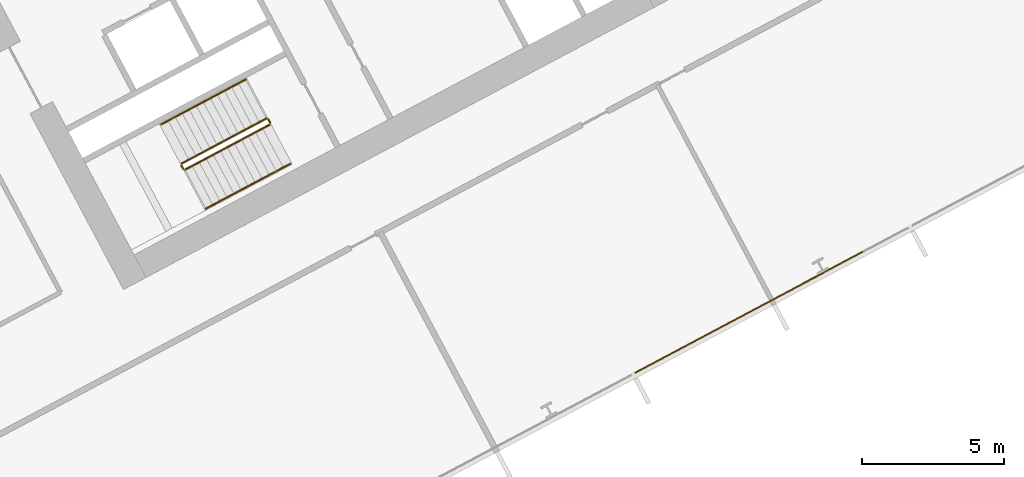
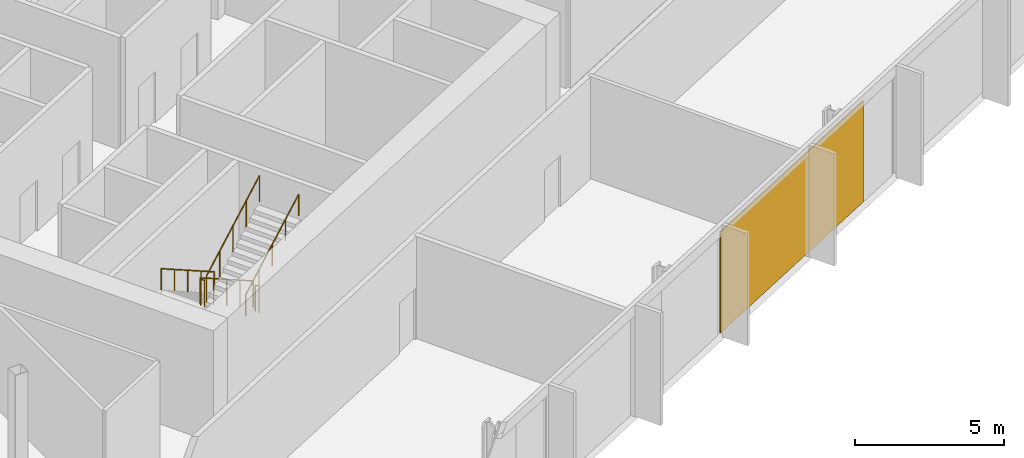
# One storey, part 26 of 30: 6 railings, 1 covering, 1 element without a shape of its own.
"""IFC4 building model written with IfcOpenShell, lengths in metres."""

import ifcopenshell
import ifcopenshell.guid

model = None  # the IFC model being written
_history = None  # IfcOwnerHistory: only IFC2X3 demands one
_inside = {}  # id of a spatial element -> (the spatial element, [elements in it])
_under = {}  # id of a project, library or spatial element -> (it, [spatial elements below it])
_declared = {}  # id of a project -> (the project, [libraries it declares])
_typed = {}  # id of a type object -> (the type object, [elements of that type])
_made_of = {}  # id of a material, layer set ... -> (it, [elements and type objects made of it])


def new_model(schema):
    """Start an empty IFC model of exactly this schema.

    Asked for "IFC4X3", IfcOpenShell would pick the latest addendum, in which some entities
    have other attributes; the version numbers below select the first issue.
    IFC2X3 requires an IfcOwnerHistory on every rooted entity: one is made here for all.
    """
    global model, _history
    if schema == "IFC4X3":
        model = ifcopenshell.file(schema_version=(4, 3, 0, 0))
    else:
        model = ifcopenshell.file(schema=schema)
    _inside.clear()
    _under.clear()
    _declared.clear()
    _typed.clear()
    _made_of.clear()
    _history = None
    if model.schema == "IFC2X3":
        org = make("IfcOrganization", Name="unknown")
        user = make(
            "IfcPersonAndOrganization",
            ThePerson=make("IfcPerson", FamilyName="unknown"),
            TheOrganization=org,
        )
        app = make(
            "IfcApplication",
            ApplicationDeveloper=org,
            Version="unknown",
            ApplicationFullName="unknown",
            ApplicationIdentifier="unknown",
        )
        _history = make(
            "IfcOwnerHistory",
            OwningUser=user,
            OwningApplication=app,
            ChangeAction="ADDED",
            CreationDate=0,
        )
    return model


def make(cls, **values):
    """One entity of the class cls with the attributes given. An attribute that is None is left unset."""
    return model.create_entity(
        cls, **{name: value for name, value in values.items() if value is not None}
    )


def rooted(cls, **values):
    """An entity with a GlobalId (a new one), such as an element, a storey or a relation."""
    return make(cls, GlobalId=ifcopenshell.guid.new(), OwnerHistory=_history, **values)


def si_unit(unit_type, name, prefix=None):
    """IfcSIUnit, for example si_unit("LENGTHUNIT", "METRE", prefix="MILLI")."""
    return make("IfcSIUnit", UnitType=unit_type, Prefix=prefix, Name=name)


def assignment(units):
    """IfcUnitAssignment: the units of a project."""
    return None if units is None else make("IfcUnitAssignment", Units=units)


def point(xyz):
    """IfcCartesianPoint."""
    return None if xyz is None else make("IfcCartesianPoint", Coordinates=xyz)


def direction(xyz):
    """IfcDirection."""
    return None if xyz is None else make("IfcDirection", DirectionRatios=xyz)


def frame(location, z_axis=None, x_axis=None):
    """IfcAxis2Placement3D, a coordinate frame: its origin and axes. An axis left out is left unset."""
    return make(
        "IfcAxis2Placement3D",
        Location=point(location),
        Axis=direction(z_axis),
        RefDirection=direction(x_axis),
    )


def frame_2d(location, x_axis=None):
    """IfcAxis2Placement2D, a coordinate frame in the plane: its origin and x axis."""
    return make(
        "IfcAxis2Placement2D", Location=point(location), RefDirection=direction(x_axis)
    )


def origin():
    """The frame at (0, 0, 0) with its axes left unset."""
    return frame((0.0, 0.0, 0.0))


def origin_2d():
    """The frame at (0, 0) in the plane with its x axis left unset."""
    return frame_2d((0.0, 0.0))


def place(relative_to, where):
    """IfcLocalPlacement: puts the frame where relative to a parent placement (None: the world)."""
    return make(
        "IfcLocalPlacement", PlacementRelTo=relative_to, RelativePlacement=where
    )


def context(
    kind, dimensions, precision=None, world=None, true_north=None, identifier=None
):
    """IfcGeometricRepresentationContext, for example the 3D "Model" context."""
    return make(
        "IfcGeometricRepresentationContext",
        ContextIdentifier=identifier,
        ContextType=kind,
        CoordinateSpaceDimension=dimensions,
        Precision=precision,
        WorldCoordinateSystem=world,
        TrueNorth=true_north,
    )


def subcontext(parent, identifier, kind, view, scale=None):
    """IfcGeometricRepresentationSubContext, for example "Body" below "Model"."""
    return make(
        "IfcGeometricRepresentationSubContext",
        ContextIdentifier=identifier,
        ContextType=kind,
        ParentContext=parent,
        TargetScale=scale,
        TargetView=view,
    )


def project(units=None, contexts=None):
    """IfcProject with its units and contexts."""
    return rooted(
        "IfcProject",
        Name="project",
        RepresentationContexts=contexts,
        UnitsInContext=assignment(units),
    )


def spatial(cls, under=None, at=None, **own):
    """A site, building, storey or space (cls), placed at a placement, below another one or the project."""
    s = rooted(cls, ObjectPlacement=at, **own)
    if under is not None:
        _under.setdefault(under.id(), (under, []))[1].append(s)
    return s


def polyline(points):
    """IfcPolyline through the points."""
    return make("IfcPolyline", Points=[point(p) for p in points])


def profile(cls, at=None, kind="AREA", **sizes):
    """A parametric profile (cls). Its sizes go by their IFC names, for example OverallWidth=200.0."""
    return make(cls, ProfileType=kind, Position=at, **sizes)


def rectangle(**sizes):
    """IfcRectangleProfileDef."""
    return profile("IfcRectangleProfileDef", **sizes)


def outline(outer, holes=None, kind="AREA"):
    """IfcArbitraryClosedProfileDef: a profile drawn as a closed curve; with holes, ...WithVoids."""
    if holes is None:
        return make("IfcArbitraryClosedProfileDef", ProfileType=kind, OuterCurve=outer)
    return make(
        "IfcArbitraryProfileDefWithVoids",
        ProfileType=kind,
        OuterCurve=outer,
        InnerCurves=holes,
    )


def extrude(swept, where, along, depth):
    """IfcExtrudedAreaSolid: the profile swept, set in the frame where, extruded along a direction by depth."""
    return make(
        "IfcExtrudedAreaSolid",
        SweptArea=swept,
        Position=where,
        ExtrudedDirection=direction(along),
        Depth=depth,
    )


def shape(context_of_items, identifier, shape_type, items):
    """IfcShapeRepresentation: the items that make up one representation, for example the "Body"."""
    return make(
        "IfcShapeRepresentation",
        ContextOfItems=context_of_items,
        RepresentationIdentifier=identifier,
        RepresentationType=shape_type,
        Items=items,
    )


def material(Name=None, Category=None):
    """IfcMaterial."""
    return make("IfcMaterial", Name=Name, Category=Category)


def layer(
    of_material, thickness, ventilated=None, Name=None, Category=None, Priority=None
):
    """IfcMaterialLayer: one layer of a wall or slab, of a material (None: an air gap)."""
    return make(
        "IfcMaterialLayer",
        Material=of_material,
        LayerThickness=thickness,
        IsVentilated=ventilated,
        Name=Name,
        Category=Category,
        Priority=Priority,
    )


def layer_set(layers, Name=None):
    """IfcMaterialLayerSet."""
    return make("IfcMaterialLayerSet", MaterialLayers=layers, LayerSetName=Name)


def made_of(thing, what):
    """Note that an element or type object is made of a material, layer set ...; save() writes the relation."""
    if what is not None:
        _made_of.setdefault(what.id(), (what, []))[1].append(thing)
    return thing


def type_object(cls, material=None, **own):
    """A type object (cls), such as IfcWallType, which elements share."""
    return made_of(rooted(cls, **own), material)


def element(
    cls,
    number,
    at=None,
    inside=None,
    cuts=None,
    type_object=None,
    material=None,
    context=None,
    identifier="Body",
    shape_type=None,
    held_by="IfcProductDefinitionShape",
    body=None,
    shapes=None,
    **own,
):
    """One element of the class cls, such as IfcWall. Its Tag is "e" and its number.

    at: its placement. inside: the storey or other place that contains it. cuts: it is an
    opening in that element (IfcRelVoidsElement). A single representation is given by context,
    identifier, shape_type and body (its items); several are given by shapes. held_by: the class
    of the entity that holds the representations. save() writes the other relations.
    """
    e = rooted(cls, Tag="e%d" % number, ObjectPlacement=at, **own)
    if body is not None:
        shapes = [shape(context, identifier, shape_type, body)]
    if shapes is not None:
        e.Representation = make(held_by, Representations=shapes)
    if inside is not None:
        _inside.setdefault(inside.id(), (inside, []))[1].append(e)
    if cuts is not None:
        rooted(
            "IfcRelVoidsElement", RelatingBuildingElement=cuts, RelatedOpeningElement=e
        )
    if type_object is not None:
        _typed.setdefault(type_object.id(), (type_object, []))[1].append(e)
    return made_of(e, material)


def aggregate(whole, parts):
    """IfcRelAggregates: a whole, such as a stair, and the parts it consists of."""
    return rooted("IfcRelAggregates", RelatingObject=whole, RelatedObjects=parts)


def save(model, path):
    """Write the relations noted so far, then the file.

    IfcRelAggregates (storeys below a building ...), IfcRelContainedInSpatialStructure (elements
    in a storey), IfcRelDefinesByType, IfcRelAssociatesMaterial and IfcRelDeclares: one each for
    every whole, place, type object, material and project.
    """
    for whole, parts in _under.values():
        aggregate(whole, parts)
    for where, things in _inside.values():
        rooted(
            "IfcRelContainedInSpatialStructure",
            RelatedElements=things,
            RelatingStructure=where,
        )
    for kind, things in _typed.values():
        rooted("IfcRelDefinesByType", RelatedObjects=things, RelatingType=kind)
    for what, things in _made_of.values():
        rooted("IfcRelAssociatesMaterial", RelatedObjects=things, RelatingMaterial=what)
    for by, libraries in _declared.values():
        rooted("IfcRelDeclares", RelatingContext=by, RelatedDefinitions=libraries)
    model.write(path)


model = new_model("IFC4")

# Units and contexts
model_context = context("Model", 3, precision=1e-05, world=origin(), true_north=direction((0.0, 1.0)))
body_context = subcontext(model_context, "Body", "Model", "MODEL_VIEW")
ifc_project = project(units=[si_unit("LENGTHUNIT", "METRE"), si_unit("AREAUNIT", "SQUARE_METRE"), si_unit("VOLUMEUNIT", "CUBIC_METRE"), si_unit("PLANEANGLEUNIT", "RADIAN"), si_unit("MASSUNIT", "GRAM", prefix="KILO")], contexts=[model_context])

# Site, building, storey
site_placement = place(None, origin())
site = spatial("IfcSite", under=ifc_project, at=site_placement, CompositionType="ELEMENT")
building_placement = place(site_placement, origin())
building = spatial("IfcBuilding", under=site, at=building_placement, Name="Cormorant Relay Tower", CompositionType="ELEMENT")
storey_placement = place(building_placement, frame((0.0, 0.0, 80.0)))
storey = spatial("IfcBuildingStorey", under=building, at=storey_placement, Name="L15", CompositionType="ELEMENT", Elevation=80.0)

# Curtain wall, covering
ifc_material_1 = material(Name="Aluminium 6063-T6 anodised bronze", Category="aluminium")
ifc_layer_1 = layer(ifc_material_1, 0.199951171875)
ifc_layer_set_1 = layer_set([ifc_layer_1], Name="CW1 unitised bronze curtain wall with vertical fins")
curtain_wall_type = type_object("IfcCurtainWallType", Name="CW1 unitised bronze curtain wall with vertical fins", PredefinedType="NOTDEFINED", material=ifc_layer_set_1)
curtain_wall_placement = place(storey_placement, origin())
curtain_wall = element("IfcCurtainWall", 1, at=curtain_wall_placement, inside=storey, type_object=curtain_wall_type, Name="CW1 curtain wall 2", PredefinedType="NOTDEFINED")
ifc_material_2 = material(Name="Pale bronze anodised aluminium insulated panel", Category="aluminium")
ifc_layer_2 = layer(ifc_material_2, 0.0400390625)
ifc_layer_set_2 = layer_set([ifc_layer_2], Name="CW1 pale bronze insulated panel 40")
covering_type = type_object("IfcCoveringType", Name="CW1 pale bronze insulated panel 40", PredefinedType="CLADDING", material=ifc_layer_set_2)
covering_placement = place(storey_placement, frame((40.797119140625, -2.114501953125, 0.0), z_axis=(0.0, 0.0, 1.0), x_axis=(0.882947592859, 0.469471562786, 0.0)))
covering = element("IfcCovering", 2, at=covering_placement, type_object=covering_type, Name="CW1 panel S07", PredefinedType="CLADDING", context=body_context, shape_type="SweptSolid", body=[
    extrude(rectangle(XDim=9.07373046875, YDim=0.0400390625, at=origin_2d()), origin(), (0.0, 0.0, 1.0), 4.14990234375),
])
aggregate(curtain_wall, [covering])

# Railings
ifc_material_3 = material(Name="Steel ASTM A572 Grade 50 (Fy 345 MPa)", Category="steel")
railing_type_1 = type_object("IfcRailingType", Name="Stair guard 1100", PredefinedType="GUARDRAIL", material=ifc_material_3)
railing_1_placement = place(storey_placement, frame((23.83837890625, 4.6904296875, 0.177001953125)))
element("IfcRailing", 3, at=railing_1_placement, inside=storey, type_object=railing_type_1, Name="L15 B1 stair guard 1", PredefinedType="GUARDRAIL", context=body_context, shape_type="SweptSolid", body=[
    extrude(outline(polyline([(0.022216796875, 0.00927734375), (0.00927734375, 0.022216796875), (-0.00927734375, 0.022216796875), (-0.022216796875, 0.00927734375), (-0.022216796875, -0.00927734375), (-0.00927734375, -0.022216796875), (0.00927734375, -0.022216796875), (0.022216796875, -0.00927734375), (0.022216796875, 0.00927734375)])), frame((0.0, 0.0, 1.076171875), z_axis=(-0.746440668329, -0.396869088057, 0.534154711306), x_axis=(0.46945269911, -0.882957622595, 0.0)), (0.0, 0.0, 1.0), 3.974609375),
    extrude(outline(polyline([(0.019287109375, 0.008056640625), (0.008056640625, 0.019287109375), (-0.008056640625, 0.019287109375), (-0.019287109375, 0.008056640625), (-0.019287109375, -0.008056640625), (-0.008056640625, -0.019287109375), (0.008056640625, -0.019287109375), (0.019287109375, -0.008056640625), (0.019287109375, 0.008056640625)])), origin(), (0.0, 0.0, 1.0), 1.052001953125),
    extrude(outline(polyline([(0.019287109375, 0.008056640625), (0.008056640625, 0.019287109375), (-0.008056640625, 0.019287109375), (-0.019287109375, 0.008056640625), (-0.019287109375, -0.008056640625), (-0.008056640625, -0.019287109375), (0.008056640625, -0.019287109375), (0.019287109375, -0.008056640625), (0.019287109375, 0.008056640625)])), frame((-0.74169921875, -0.394287109375, 0.53076171875)), (0.0, 0.0, 1.0), 1.052001953125),
    extrude(outline(polyline([(0.019287109375, 0.008056640625), (0.008056640625, 0.019287109375), (-0.008056640625, 0.019287109375), (-0.019287109375, 0.008056640625), (-0.019287109375, -0.008056640625), (-0.008056640625, -0.019287109375), (0.008056640625, -0.019287109375), (0.019287109375, -0.008056640625), (0.019287109375, 0.008056640625)])), frame((-1.4833984375, -0.78857421875, 1.0615234375)), (0.0, 0.0, 1.0), 1.052001953125),
    extrude(outline(polyline([(0.019287109375, 0.008056640625), (0.008056640625, 0.019287109375), (-0.008056640625, 0.019287109375), (-0.019287109375, 0.008056640625), (-0.019287109375, -0.008056640625), (-0.008056640625, -0.019287109375), (0.008056640625, -0.019287109375), (0.019287109375, -0.008056640625), (0.019287109375, 0.008056640625)])), frame((-2.22509765625, -1.18310546875, 1.59228515625)), (0.0, 0.0, 1.0), 1.052001953125),
    extrude(outline(polyline([(0.019287109375, 0.008056640625), (0.008056640625, 0.019287109375), (-0.008056640625, 0.019287109375), (-0.019287109375, 0.008056640625), (-0.019287109375, -0.008056640625), (-0.008056640625, -0.019287109375), (0.008056640625, -0.019287109375), (0.019287109375, -0.008056640625), (0.019287109375, 0.008056640625)])), frame((-2.966796875, -1.577392578125, 2.123046875)), (0.0, 0.0, 1.0), 1.052001953125),
])
railing_2_placement = place(storey_placement, frame((20.850830078125, 3.04541015625, 2.300048828125)))
element("IfcRailing", 4, at=railing_2_placement, inside=storey, type_object=railing_type_1, Name="L15 B1 stair guard 2", PredefinedType="GUARDRAIL", context=body_context, shape_type="SweptSolid", body=[
    extrude(outline(polyline([(0.022216796875, 0.00927734375), (0.00927734375, 0.022216796875), (-0.00927734375, 0.022216796875), (-0.022216796875, 0.00927734375), (-0.022216796875, -0.00927734375), (-0.00927734375, -0.022216796875), (0.00927734375, -0.022216796875), (0.022216796875, -0.00927734375), (0.022216796875, 0.00927734375)])), frame((0.0, 0.0, 1.076171875), z_axis=(0.469828648786, -0.882757634224, 0.0), x_axis=(0.882757634224, 0.469828648786, 0.0)), (0.0, 0.0, 1.0), 0.150146484375),
    extrude(outline(polyline([(0.019287109375, 0.008056640625), (0.008056640625, 0.019287109375), (-0.008056640625, 0.019287109375), (-0.019287109375, 0.008056640625), (-0.019287109375, -0.008056640625), (-0.008056640625, -0.019287109375), (0.008056640625, -0.019287109375), (0.019287109375, -0.008056640625), (0.019287109375, 0.008056640625)])), origin(), (0.0, 0.0, 1.0), 1.052001953125),
    extrude(outline(polyline([(0.019287109375, 0.008056640625), (0.008056640625, 0.019287109375), (-0.008056640625, 0.019287109375), (-0.019287109375, 0.008056640625), (-0.019287109375, -0.008056640625), (-0.008056640625, -0.019287109375), (0.008056640625, -0.019287109375), (0.019287109375, -0.008056640625), (0.019287109375, 0.008056640625)])), frame((0.070556640625, -0.132568359375, 0.0)), (0.0, 0.0, 1.0), 1.052001953125),
])
railing_3_placement = place(storey_placement, frame((20.989013671875, 2.892333984375, 2.476806640625)))
element("IfcRailing", 5, at=railing_3_placement, inside=storey, type_object=railing_type_1, Name="L15 B1 stair guard 3", PredefinedType="GUARDRAIL", context=body_context, shape_type="SweptSolid", body=[
    extrude(outline(polyline([(0.022216796875, 0.00927734375), (0.00927734375, 0.022216796875), (-0.00927734375, 0.022216796875), (-0.022216796875, 0.00927734375), (-0.022216796875, -0.00927734375), (-0.00927734375, -0.022216796875), (0.00927734375, -0.022216796875), (0.022216796875, -0.00927734375), (0.022216796875, 0.00927734375)])), frame((0.0, 0.0, 1.076171875), z_axis=(0.746388972956, 0.396874261729, 0.534223100798), x_axis=(-0.469482818608, 0.88294160794, 0.0)), (0.0, 0.0, 1.0), 3.974609375),
    extrude(outline(polyline([(0.019287109375, 0.008056640625), (0.008056640625, 0.019287109375), (-0.008056640625, 0.019287109375), (-0.019287109375, 0.008056640625), (-0.019287109375, -0.008056640625), (-0.008056640625, -0.019287109375), (0.008056640625, -0.019287109375), (0.019287109375, -0.008056640625), (0.019287109375, 0.008056640625)])), origin(), (0.0, 0.0, 1.0), 1.052001953125),
    extrude(outline(polyline([(0.019287109375, 0.008056640625), (0.008056640625, 0.019287109375), (-0.008056640625, 0.019287109375), (-0.019287109375, 0.008056640625), (-0.019287109375, -0.008056640625), (-0.008056640625, -0.019287109375), (0.008056640625, -0.019287109375), (0.019287109375, -0.008056640625), (0.019287109375, 0.008056640625)])), frame((0.74169921875, 0.394287109375, 0.53076171875)), (0.0, 0.0, 1.0), 1.052001953125),
    extrude(outline(polyline([(0.019287109375, 0.008056640625), (0.008056640625, 0.019287109375), (-0.008056640625, 0.019287109375), (-0.019287109375, 0.008056640625), (-0.019287109375, -0.008056640625), (-0.008056640625, -0.019287109375), (0.008056640625, -0.019287109375), (0.019287109375, -0.008056640625), (0.019287109375, 0.008056640625)])), frame((1.4833984375, 0.78857421875, 1.0615234375)), (0.0, 0.0, 1.0), 1.052001953125),
    extrude(outline(polyline([(0.019287109375, 0.008056640625), (0.008056640625, 0.019287109375), (-0.008056640625, 0.019287109375), (-0.019287109375, 0.008056640625), (-0.019287109375, -0.008056640625), (-0.008056640625, -0.019287109375), (0.008056640625, -0.019287109375), (0.019287109375, -0.008056640625), (0.019287109375, 0.008056640625)])), frame((2.224853515625, 1.18310546875, 1.592529296875)), (0.0, 0.0, 1.0), 1.052001953125),
    extrude(outline(polyline([(0.019287109375, 0.008056640625), (0.008056640625, 0.019287109375), (-0.008056640625, 0.019287109375), (-0.019287109375, 0.008056640625), (-0.019287109375, -0.008056640625), (-0.008056640625, -0.019287109375), (0.008056640625, -0.019287109375), (0.019287109375, -0.008056640625), (0.019287109375, 0.008056640625)])), frame((2.966552734375, 1.577392578125, 2.123291015625)), (0.0, 0.0, 1.0), 1.052001953125),
])
railing_4_placement = place(storey_placement, frame((23.906005859375, 4.669677734375, 0.0)))
element("IfcRailing", 6, at=railing_4_placement, inside=storey, type_object=railing_type_1, Name="L15 B1 stair guard 4", PredefinedType="GUARDRAIL", context=body_context, shape_type="SweptSolid", body=[
    extrude(outline(polyline([(0.022216796875, 0.00927734375), (0.00927734375, 0.022216796875), (-0.00927734375, 0.022216796875), (-0.022216796875, 0.00927734375), (-0.022216796875, -0.00927734375), (-0.00927734375, -0.022216796875), (0.00927734375, -0.022216796875), (0.022216796875, -0.00927734375), (0.022216796875, 0.00927734375)])), frame((0.0, 0.0, 1.076171875), z_axis=(0.469234640946, -0.883073525669, 0.0), x_axis=(0.883073525669, 0.469234640946, 0.0)), (0.0, 0.0, 1.0), 0.14990234375),
    extrude(outline(polyline([(0.019287109375, 0.008056640625), (0.008056640625, 0.019287109375), (-0.008056640625, 0.019287109375), (-0.019287109375, 0.008056640625), (-0.019287109375, -0.008056640625), (-0.008056640625, -0.019287109375), (0.008056640625, -0.019287109375), (0.019287109375, -0.008056640625), (0.019287109375, 0.008056640625)])), origin(), (0.0, 0.0, 1.0), 1.052001953125),
    extrude(outline(polyline([(0.019287109375, 0.008056640625), (0.008056640625, 0.019287109375), (-0.008056640625, 0.019287109375), (-0.019287109375, 0.008056640625), (-0.019287109375, -0.008056640625), (-0.008056640625, -0.019287109375), (0.008056640625, -0.019287109375), (0.019287109375, -0.008056640625), (0.019287109375, 0.008056640625)])), frame((0.0703125, -0.13232421875, 0.0)), (0.0, 0.0, 1.0), 1.052001953125),
])
ifc_material_4 = material(Name="Steel ASTM A572 Grade 50 (Fy 345 MPa)", Category="steel")
railing_type_2 = type_object("IfcRailingType", Name="Stair handrail 900", PredefinedType="HANDRAIL", material=ifc_material_4)
railing_5_placement = place(storey_placement, frame((23.110595703125, 6.05908203125, 0.177001953125)))
element("IfcRailing", 7, at=railing_5_placement, inside=storey, type_object=railing_type_2, Name="L15 B1 stair handrail 1", PredefinedType="HANDRAIL", context=body_context, shape_type="SweptSolid", body=[
    extrude(outline(polyline([(0.022216796875, 0.00927734375), (0.00927734375, 0.022216796875), (-0.00927734375, 0.022216796875), (-0.022216796875, 0.00927734375), (-0.022216796875, -0.00927734375), (-0.00927734375, -0.022216796875), (0.00927734375, -0.022216796875), (0.022216796875, -0.00927734375), (0.022216796875, 0.00927734375)])), frame((0.0, 0.0, 0.8759765625), z_axis=(-0.746413465702, -0.396887285154, 0.534179203172), x_axis=(0.469482818608, -0.88294160794, 0.0)), (0.0, 0.0, 1.0), 3.974365234375),
    extrude(outline(polyline([(0.019287109375, 0.008056640625), (0.008056640625, 0.019287109375), (-0.008056640625, 0.019287109375), (-0.019287109375, 0.008056640625), (-0.019287109375, -0.008056640625), (-0.008056640625, -0.019287109375), (0.008056640625, -0.019287109375), (0.019287109375, -0.008056640625), (0.019287109375, 0.008056640625)])), origin(), (0.0, 0.0, 1.0), 0.851806640625),
    extrude(outline(polyline([(0.019287109375, 0.008056640625), (0.008056640625, 0.019287109375), (-0.008056640625, 0.019287109375), (-0.019287109375, 0.008056640625), (-0.019287109375, -0.008056640625), (-0.008056640625, -0.019287109375), (0.008056640625, -0.019287109375), (0.019287109375, -0.008056640625), (0.019287109375, 0.008056640625)])), frame((-0.74169921875, -0.394287109375, 0.53076171875)), (0.0, 0.0, 1.0), 0.851806640625),
    extrude(outline(polyline([(0.019287109375, 0.008056640625), (0.008056640625, 0.019287109375), (-0.008056640625, 0.019287109375), (-0.019287109375, 0.008056640625), (-0.019287109375, -0.008056640625), (-0.008056640625, -0.019287109375), (0.008056640625, -0.019287109375), (0.019287109375, -0.008056640625), (0.019287109375, 0.008056640625)])), frame((-1.4833984375, -0.78857421875, 1.0615234375)), (0.0, 0.0, 1.0), 0.851806640625),
    extrude(outline(polyline([(0.019287109375, 0.008056640625), (0.008056640625, 0.019287109375), (-0.008056640625, 0.019287109375), (-0.019287109375, 0.008056640625), (-0.019287109375, -0.008056640625), (-0.008056640625, -0.019287109375), (0.008056640625, -0.019287109375), (0.019287109375, -0.008056640625), (0.019287109375, 0.008056640625)])), frame((-2.224853515625, -1.18310546875, 1.59228515625)), (0.0, 0.0, 1.0), 0.851806640625),
    extrude(outline(polyline([(0.019287109375, 0.008056640625), (0.008056640625, 0.019287109375), (-0.008056640625, 0.019287109375), (-0.019287109375, 0.008056640625), (-0.019287109375, -0.008056640625), (-0.008056640625, -0.019287109375), (0.008056640625, -0.019287109375), (0.019287109375, -0.008056640625), (0.019287109375, 0.008056640625)])), frame((-2.966552734375, -1.577392578125, 2.123046875)), (0.0, 0.0, 1.0), 0.851806640625),
])
railing_6_placement = place(storey_placement, frame((21.716552734375, 1.523681640625, 2.476806640625)))
element("IfcRailing", 8, at=railing_6_placement, inside=storey, type_object=railing_type_2, Name="L15 B1 stair handrail 2", PredefinedType="HANDRAIL", context=body_context, shape_type="SweptSolid", body=[
    extrude(outline(polyline([(0.022216796875, 0.00927734375), (0.00927734375, 0.022216796875), (-0.00927734375, 0.022216796875), (-0.022216796875, 0.00927734375), (-0.022216796875, -0.00927734375), (-0.00927734375, -0.022216796875), (0.00927734375, -0.022216796875), (0.022216796875, -0.00927734375), (0.022216796875, 0.00927734375)])), frame((0.0, 0.0, 0.8759765625), z_axis=(0.746416176936, 0.396856066424, 0.534198608526), x_axis=(-0.46945269911, 0.882957622595, 0.0)), (0.0, 0.0, 1.0), 3.974609375),
    extrude(outline(polyline([(0.019287109375, 0.008056640625), (0.008056640625, 0.019287109375), (-0.008056640625, 0.019287109375), (-0.019287109375, 0.008056640625), (-0.019287109375, -0.008056640625), (-0.008056640625, -0.019287109375), (0.008056640625, -0.019287109375), (0.019287109375, -0.008056640625), (0.019287109375, 0.008056640625)])), origin(), (0.0, 0.0, 1.0), 0.851806640625),
    extrude(outline(polyline([(0.019287109375, 0.008056640625), (0.008056640625, 0.019287109375), (-0.008056640625, 0.019287109375), (-0.019287109375, 0.008056640625), (-0.019287109375, -0.008056640625), (-0.008056640625, -0.019287109375), (0.008056640625, -0.019287109375), (0.019287109375, -0.008056640625), (0.019287109375, 0.008056640625)])), frame((0.74169921875, 0.394287109375, 0.53076171875)), (0.0, 0.0, 1.0), 0.851806640625),
    extrude(outline(polyline([(0.019287109375, 0.008056640625), (0.008056640625, 0.019287109375), (-0.008056640625, 0.019287109375), (-0.019287109375, 0.008056640625), (-0.019287109375, -0.008056640625), (-0.008056640625, -0.019287109375), (0.008056640625, -0.019287109375), (0.019287109375, -0.008056640625), (0.019287109375, 0.008056640625)])), frame((1.4833984375, 0.78857421875, 1.0615234375)), (0.0, 0.0, 1.0), 0.851806640625),
    extrude(outline(polyline([(0.019287109375, 0.008056640625), (0.008056640625, 0.019287109375), (-0.008056640625, 0.019287109375), (-0.019287109375, 0.008056640625), (-0.019287109375, -0.008056640625), (-0.008056640625, -0.019287109375), (0.008056640625, -0.019287109375), (0.019287109375, -0.008056640625), (0.019287109375, 0.008056640625)])), frame((2.22509765625, 1.18310546875, 1.592529296875)), (0.0, 0.0, 1.0), 0.851806640625),
    extrude(outline(polyline([(0.019287109375, 0.008056640625), (0.008056640625, 0.019287109375), (-0.008056640625, 0.019287109375), (-0.019287109375, 0.008056640625), (-0.019287109375, -0.008056640625), (-0.008056640625, -0.019287109375), (0.008056640625, -0.019287109375), (0.019287109375, -0.008056640625), (0.019287109375, 0.008056640625)])), frame((2.966796875, 1.577392578125, 2.123291015625)), (0.0, 0.0, 1.0), 0.851806640625),
])

save(model, "model.ifc")
